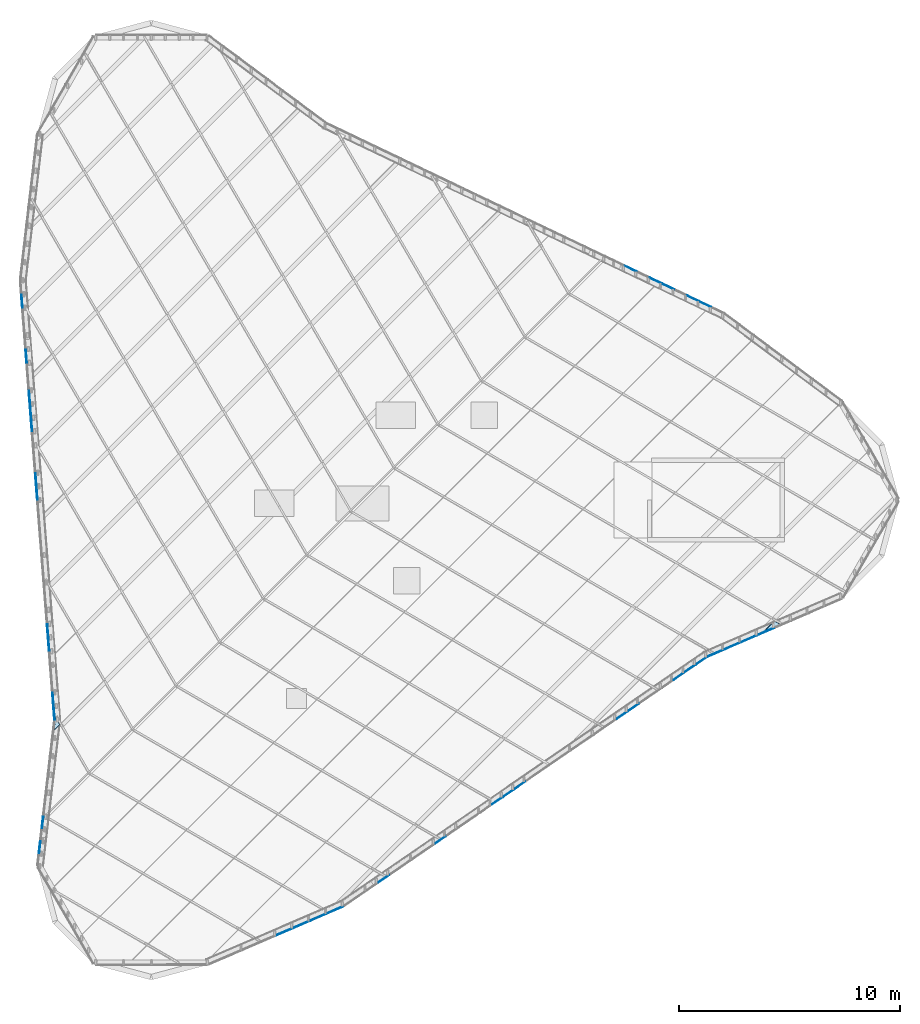
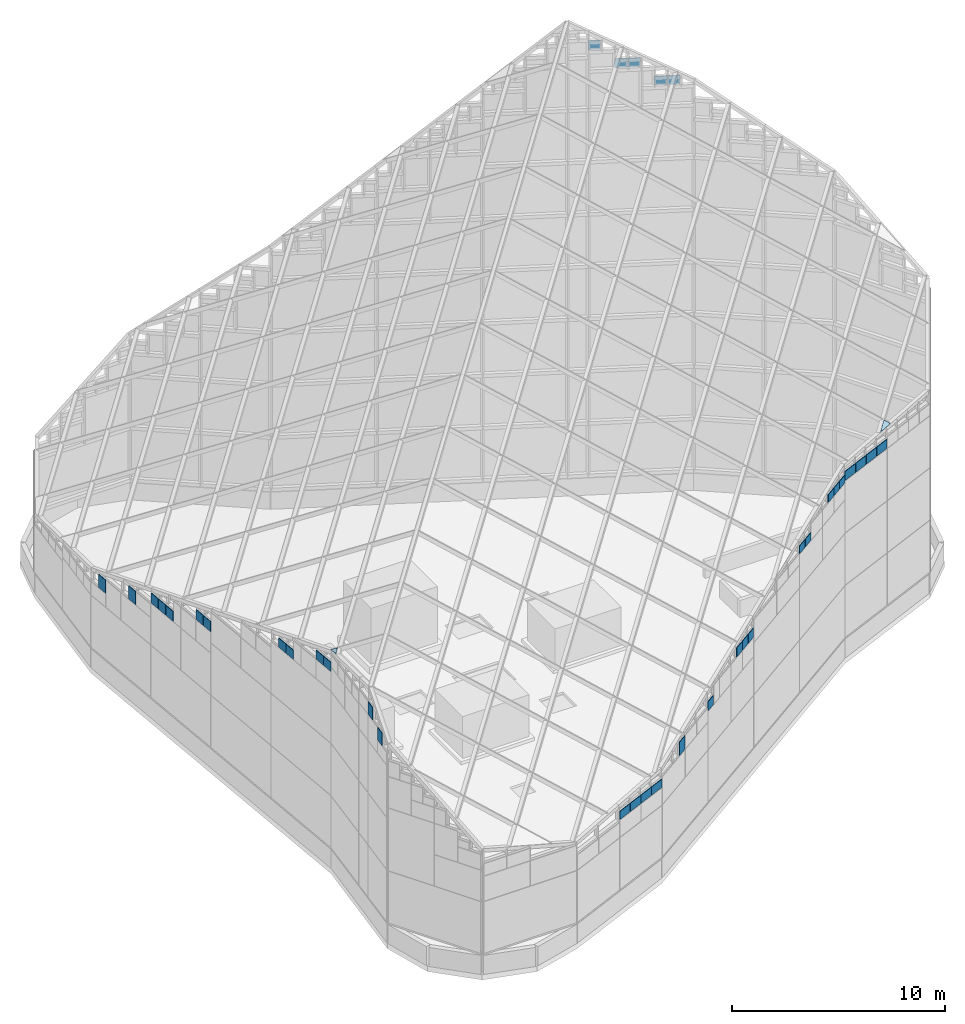
# One storey, part 23 of 29: 38 plates, 1 element without a shape of its own.
"""IFC4 building model written with IfcOpenShell, lengths in metres."""

from ifc_helpers import new_model, si_unit, direction, frame, origin, place, context, subcontext, project, spatial, polyline, outline, extrude, material, layer, layer_set, type_object, element, aggregate, save


model = new_model("IFC4")

# Units and contexts
model_context = context("Model", 3, precision=1e-05, world=origin(), true_north=direction((0.0, 1.0)))
body_context = subcontext(model_context, "Body", "Model", "MODEL_VIEW")
ifc_project = project(units=[si_unit("LENGTHUNIT", "METRE"), si_unit("AREAUNIT", "SQUARE_METRE"), si_unit("VOLUMEUNIT", "CUBIC_METRE"), si_unit("PLANEANGLEUNIT", "RADIAN"), si_unit("MASSUNIT", "GRAM", prefix="KILO")], contexts=[model_context])

# Site, building, storey
site_placement = place(None, origin())
site = spatial("IfcSite", under=ifc_project, at=site_placement, CompositionType="ELEMENT")
building_placement = place(site_placement, origin())
building = spatial("IfcBuilding", under=site, at=building_placement, Name="Tanit Gate Tower", CompositionType="ELEMENT")
storey_placement = place(building_placement, frame((0.0, 0.0, 445.300048828125)))
storey = spatial("IfcBuildingStorey", under=building, at=storey_placement, Name="ROOF", CompositionType="ELEMENT", Elevation=445.300048828125)

# Curtain wall, plates
ifc_material_1 = material(Name="Aluminium bronze anodised and glass", Category="aluminium")
curtain_wall_type = type_object("IfcCurtainWallType", Name="Curtain wall crown roof", PredefinedType="NOTDEFINED", material=ifc_material_1)
curtain_wall_placement = place(storey_placement, origin())
curtain_wall = element("IfcCurtainWall", 1, at=curtain_wall_placement, inside=storey, type_object=curtain_wall_type, Name="Crown lantern", PredefinedType="NOTDEFINED")
ifc_material_2 = material(Name="Glass tinted laminated safety", Category="glass")
ifc_layer = layer(ifc_material_2, 0.033935546875)
ifc_layer_set = layer_set([ifc_layer], Name="Glass panel 34 crown roof")
plate_type = type_object("IfcPlateType", Name="Glass panel 34 crown roof", PredefinedType="CURTAIN_PANEL", material=ifc_layer_set)
plate_1_placement = place(storey_placement, frame((15.7939453125, 8.749755859375, 23.31689453125), z_axis=(0.430699156371, 0.902495560488, 0.0), x_axis=(-0.902495560488, 0.430699156371, 0.0)))
plate_1 = element("IfcPlate", 2, at=plate_1_placement, type_object=plate_type, Name="Lantern clerestory glass 3.8.2", PredefinedType="CURTAIN_PANEL", context=body_context, shape_type="SweptSolid", body=[
    extrude(outline(polyline([(0.0, 0.0), (0.5940559000755323, 0.0), (0.5940559000755323, 0.5207519531250001), (0.0, 0.5207519531250001), (0.0, 0.0)])), origin(), (0.0, 0.0, -1.0), 0.033935546875),
])
plate_2_placement = place(storey_placement, frame((15.23095703125, 9.0185546875, 23.31689453125), z_axis=(0.431033803852, 0.902335780038, 0.0), x_axis=(-0.902335780038, 0.431033803852, 0.0)))
plate_2 = element("IfcPlate", 3, at=plate_2_placement, type_object=plate_type, Name="Lantern clerestory glass 3.8.4", PredefinedType="CURTAIN_PANEL", context=body_context, shape_type="SweptSolid", body=[
    extrude(outline(polyline([(0.0, 0.0), (0.5941610920908948, 0.0), (0.5941610920908948, 0.520751953125), (0.0, 0.520751953125), (0.0, 0.0)])), origin(), (0.0, 0.0, -1.0), 0.033935546875),
])
plate_3_placement = place(storey_placement, frame((14.10498046875, 9.556640625, 24.418701171875), z_axis=(0.430699156371, 0.902495560488, 0.0), x_axis=(-0.902495560488, 0.430699156371, 0.0)))
plate_3 = element("IfcPlate", 4, at=plate_3_placement, type_object=plate_type, Name="Lantern clerestory glass 3.8.7", PredefinedType="CURTAIN_PANEL", context=body_context, shape_type="SweptSolid", body=[
    extrude(outline(polyline([(0.0, 0.0), (0.5940559000755323, 0.0), (0.5940559000755323, 0.5209960937500001), (0.0, 0.5209960937500001), (0.0, 0.0)])), origin(), (0.0, 0.0, -1.0), 0.033935546875),
])
plate_4_placement = place(storey_placement, frame((13.541748046875, 9.825439453125, 24.418701171875), z_axis=(0.431193670556, 0.902259396445, 0.0), x_axis=(-0.902259396445, 0.431193670556, 0.0)))
plate_4 = element("IfcPlate", 5, at=plate_4_placement, type_object=plate_type, Name="Lantern clerestory glass 3.8.8", PredefinedType="CURTAIN_PANEL", context=body_context, shape_type="SweptSolid", body=[
    extrude(outline(polyline([(0.0, 0.0), (0.5939408045920368, 0.0), (0.5939408045920368, 0.5209960937499999), (0.0, 0.5209960937499999), (0.0, 0.0)])), origin(), (0.0, 0.0, -1.0), 0.033935546875),
])
plate_5_placement = place(storey_placement, frame((12.415771484375, 10.363525390625, 25.5205078125), z_axis=(0.430858955566, 0.902419281935, 0.0), x_axis=(-0.902419281935, 0.430858955566, 0.0)))
plate_5 = element("IfcPlate", 6, at=plate_5_placement, type_object=plate_type, Name="Lantern clerestory glass 3.8.10", PredefinedType="CURTAIN_PANEL", context=body_context, shape_type="SweptSolid", body=[
    extrude(outline(polyline([(0.0, 0.0), (0.5938355735549548, 0.0), (0.5938355735549548, 0.52099609375), (0.0, 0.52099609375), (0.0, 0.0)])), origin(), (0.0, 0.0, -1.0), 0.033935546875),
])
plate_6_placement = place(storey_placement, frame((-15.474365234375, 9.302978515625, 4.998779296875), z_axis=(-0.996976589827, -0.077702505351, 0.0), x_axis=(0.077702505351, -0.996976589827, 0.0)))
plate_6 = element("IfcPlate", 7, at=plate_6_placement, type_object=plate_type, Name="Lantern clerestory glass 14.2.2", PredefinedType="CURTAIN_PANEL", context=body_context, shape_type="SweptSolid", body=[
    extrude(outline(polyline([(0.0, 0.0), (0.5938364267189268, 0.0), (0.5938364267189268, 0.7539062500000002), (0.0, 0.7539062500000002), (0.0, 0.0)])), origin(), (0.0, 0.0, -1.0), 0.033935546875),
])
plate_7_placement = place(storey_placement, frame((-15.280029296875, 6.81494140625, 5.78271484375), z_axis=(-0.996979070538, -0.077670669551, 0.0), x_axis=(0.077670669551, -0.996979070538, 0.0)))
plate_7 = element("IfcPlate", 8, at=plate_7_placement, type_object=plate_type, Name="Lantern clerestory glass 14.2.5", PredefinedType="CURTAIN_PANEL", context=body_context, shape_type="SweptSolid", body=[
    extrude(outline(polyline([(0.0, 0.0), (0.5940798295095607, 0.0), (0.5940798295095607, 0.75390625), (0.0, 0.75390625), (0.0, 0.0)])), origin(), (0.0, 0.0, -1.0), 0.033935546875),
])
plate_8_placement = place(storey_placement, frame((-15.13427734375, 4.94873046875, 6.62939453125), z_axis=(-0.996979070538, -0.077670669551, 0.0), x_axis=(0.077670669551, -0.996979070538, 0.0)))
plate_8 = element("IfcPlate", 9, at=plate_8_placement, type_object=plate_type, Name="Lantern clerestory glass 15.2.2", PredefinedType="CURTAIN_PANEL", context=body_context, shape_type="SweptSolid", body=[
    extrude(outline(polyline([(0.0, 0.0), (0.5940798295095607, 0.0), (0.5940798295095607, 0.5737304687500001), (0.0, 0.5737304687500001), (0.0, 0.0)])), origin(), (0.0, 0.0, -1.0), 0.033935546875),
])
plate_9_placement = place(storey_placement, frame((-15.0859375, 4.32666015625, 6.62939453125), z_axis=(-0.996947165087, -0.078079126697, 0.0), x_axis=(0.078079126697, -0.996947165087, 0.0)))
plate_9 = element("IfcPlate", 10, at=plate_9_placement, type_object=plate_type, Name="Lantern clerestory glass 15.2.3", PredefinedType="CURTAIN_PANEL", context=body_context, shape_type="SweptSolid", body=[
    extrude(outline(polyline([(0.0, 0.0), (0.5940988419366583, 0.0), (0.5940988419366583, 0.57373046875), (0.0, 0.57373046875), (0.0, 0.0)])), origin(), (0.0, 0.0, -1.0), 0.033935546875),
])
plate_10_placement = place(storey_placement, frame((-15.037353515625, 3.70458984375, 6.62939453125), z_axis=(-0.996944658295, -0.078111127866, 0.0), x_axis=(0.078111127866, -0.996944658295, 0.0)))
plate_10 = element("IfcPlate", 11, at=plate_10_placement, type_object=plate_type, Name="Lantern clerestory glass 15.2.4", PredefinedType="CURTAIN_PANEL", context=body_context, shape_type="SweptSolid", body=[
    extrude(outline(polyline([(0.0, 0.0), (0.5938554469386242, 0.0), (0.5938554469386242, 0.57373046875), (0.0, 0.57373046875), (0.0, 0.0)])), origin(), (0.0, 0.0, -1.0), 0.033935546875),
])
plate_11_placement = place(storey_placement, frame((-14.843017578125, 1.21630859375, 7.836669921875), z_axis=(-0.996976589827, -0.077702505351, 0.0), x_axis=(0.077702505351, -0.996976589827, 0.0)))
plate_11 = element("IfcPlate", 12, at=plate_11_placement, type_object=plate_type, Name="Lantern clerestory glass 15.2.9", PredefinedType="CURTAIN_PANEL", context=body_context, shape_type="SweptSolid", body=[
    extrude(outline(polyline([(0.0, 0.0), (0.5938364267189268, 0.0), (0.5938364267189268, 0.5737304687500001), (0.0, 0.5737304687500001), (0.0, 0.0)])), origin(), (0.0, 0.0, -1.0), 0.033935546875),
])
plate_12_placement = place(storey_placement, frame((-14.79443359375, 0.59423828125, 7.836669921875), z_axis=(-0.996976589827, -0.077702505351, 0.0), x_axis=(0.077702505351, -0.996976589827, 0.0)))
plate_12 = element("IfcPlate", 13, at=plate_12_placement, type_object=plate_type, Name="Lantern clerestory glass 15.2.10", PredefinedType="CURTAIN_PANEL", context=body_context, shape_type="SweptSolid", body=[
    extrude(outline(polyline([(0.0, 0.0), (0.5938364267189268, 0.0), (0.5938364267189268, 0.5737304687500001), (0.0, 0.5737304687500001), (0.0, 0.0)])), origin(), (0.0, 0.0, -1.0), 0.033935546875),
])
plate_13_placement = place(storey_placement, frame((-14.308837890625, -5.626220703125, 10.21484375), z_axis=(-0.996944658295, -0.078111127866, 0.0), x_axis=(0.078111127866, -0.996944658295, 0.0)))
plate_13 = element("IfcPlate", 14, at=plate_13_placement, type_object=plate_type, Name="Lantern clerestory glass 17.4.1", PredefinedType="CURTAIN_PANEL", context=body_context, shape_type="SweptSolid", body=[
    extrude(outline(polyline([(0.0, 0.0), (0.5938554469386242, 0.0), (0.5938554469386242, 0.5239257812499999), (0.0, 0.5239257812499999), (0.0, 0.0)])), origin(), (0.0, 0.0, -1.0), 0.033935546875),
])
plate_14_placement = place(storey_placement, frame((-14.26025390625, -6.248291015625, 10.21484375), z_axis=(-0.996944658295, -0.078111127866, 0.0), x_axis=(0.078111127866, -0.996944658295, 0.0)))
plate_14 = element("IfcPlate", 15, at=plate_14_placement, type_object=plate_type, Name="Lantern clerestory glass 17.4.2", PredefinedType="CURTAIN_PANEL", context=body_context, shape_type="SweptSolid", body=[
    extrude(outline(polyline([(0.0, 0.0), (0.5938554469386242, 0.0), (0.5938554469386242, 0.5239257812499999), (0.0, 0.5239257812499999), (0.0, 0.0)])), origin(), (0.0, 0.0, -1.0), 0.033935546875),
])
plate_15_placement = place(storey_placement, frame((-14.06591796875, -8.736328125, 11.32275390625), z_axis=(-0.996979070538, -0.077670669551, 0.0), x_axis=(0.077670669551, -0.996979070538, 0.0)))
plate_15 = element("IfcPlate", 16, at=plate_15_placement, type_object=plate_type, Name="Lantern clerestory glass 17.4.6", PredefinedType="CURTAIN_PANEL", context=body_context, shape_type="SweptSolid", body=[
    extrude(outline(polyline([(0.0, 0.0), (0.5940798295095607, 0.0), (0.5940798295095607, 0.52392578125), (0.0, 0.52392578125), (0.0, 0.0)])), origin(), (0.0, 0.0, -1.0), 0.033935546875),
])
plate_16_placement = place(storey_placement, frame((-14.017333984375, -9.3583984375, 11.32275390625), z_axis=(-0.996979070538, -0.077670669551, 0.0), x_axis=(0.077670669551, -0.996979070538, 0.0)))
plate_16 = element("IfcPlate", 17, at=plate_16_placement, type_object=plate_type, Name="Lantern clerestory glass 17.4.7", PredefinedType="CURTAIN_PANEL", context=body_context, shape_type="SweptSolid", body=[
    extrude(outline(polyline([(0.0, 0.0), (0.5940798295095607, 0.0), (0.5940798295095607, 0.52392578125), (0.0, 0.52392578125), (0.0, 0.0)])), origin(), (0.0, 0.0, -1.0), 0.033935546875),
])
plate_17_placement = place(storey_placement, frame((-14.616455078125, -15.464599609375, 10.96484375), z_axis=(-0.993203882942, 0.116387486051, 0.0), x_axis=(-0.116387486051, -0.993203882942, 0.0)))
plate_17 = element("IfcPlate", 18, at=plate_17_placement, type_object=plate_type, Name="Lantern clerestory glass 20.4.3", PredefinedType="CURTAIN_PANEL", context=body_context, shape_type="SweptSolid", body=[
    extrude(outline(polyline([(0.0, 0.0), (0.5307063518657993, 0.0), (0.5307063518657993, 0.72021484375), (0.0, 0.72021484375), (0.0, 0.0)])), origin(), (0.0, 0.0, -1.0), 0.033935546875),
])
plate_18_placement = place(storey_placement, frame((-14.486083984375, -14.3505859375, 11.71484375), z_axis=(-0.993203882942, 0.116387486051, 0.0), x_axis=(-0.116387486051, -0.993203882942, 0.0)))
plate_18 = element("IfcPlate", 19, at=plate_18_placement, type_object=plate_type, Name="Lantern clerestory glass 20.4.4", PredefinedType="CURTAIN_PANEL", context=body_context, shape_type="SweptSolid", body=[
    extrude(outline(polyline([(0.0, 0.0), (0.5307063518657993, 0.0), (0.5307063518657993, 0.72021484375), (0.0, 0.72021484375), (0.0, 0.0)])), origin(), (0.0, 0.0, -1.0), 0.033935546875),
])
plate_19_placement = place(storey_placement, frame((-3.913330078125, -19.7392578125, 5.225830078125), z_axis=(0.396010659019, -0.918245913655, 0.0), x_axis=(0.918245913655, 0.396010659019, 0.0)))
plate_19 = element("IfcPlate", 20, at=plate_19_placement, type_object=plate_type, Name="Lantern clerestory glass 24.2.2", PredefinedType="CURTAIN_PANEL", context=body_context, shape_type="SweptSolid", body=[
    extrude(outline(polyline([(0.0, 0.0), (0.8026831766030078, 0.0), (0.8026831766030078, 0.475341796875), (0.0, 0.475341796875), (0.0, 0.0)])), origin(), (0.0, 0.0, -1.0), 0.033935546875),
])
plate_20_placement = place(storey_placement, frame((-3.148681640625, -19.40966796875, 5.225830078125), z_axis=(0.395864740774, -0.918308829867, 0.0), x_axis=(0.918308829867, 0.395864740774, 0.0)))
plate_20 = element("IfcPlate", 21, at=plate_20_placement, type_object=plate_type, Name="Lantern clerestory glass 24.2.3", PredefinedType="CURTAIN_PANEL", context=body_context, shape_type="SweptSolid", body=[
    extrude(outline(polyline([(0.0, 0.0), (0.8023623233120035, 0.0), (0.8023623233120035, 0.475341796875), (0.0, 0.475341796875), (0.0, 0.0)])), origin(), (0.0, 0.0, -1.0), 0.033935546875),
])
plate_21_placement = place(storey_placement, frame((-2.38427734375, -19.080078125, 5.225830078125), z_axis=(0.395864740774, -0.918308829867, 0.0), x_axis=(0.918308829867, 0.395864740774, 0.0)))
plate_21 = element("IfcPlate", 22, at=plate_21_placement, type_object=plate_type, Name="Lantern clerestory glass 24.2.5", PredefinedType="CURTAIN_PANEL", context=body_context, shape_type="SweptSolid", body=[
    extrude(outline(polyline([(0.0, 0.0), (0.8023623233120035, 0.0), (0.8023623233120035, 0.475341796875), (0.0, 0.475341796875), (0.0, 0.0)])), origin(), (0.0, 0.0, -1.0), 0.033935546875),
])
plate_22_placement = place(storey_placement, frame((-1.619873046875, -18.75048828125, 5.225830078125), z_axis=(0.395754156075, -0.918356492844, 0.0), x_axis=(0.918356492844, 0.395754156075, 0.0)))
plate_22 = element("IfcPlate", 23, at=plate_22_placement, type_object=plate_type, Name="Lantern clerestory glass 24.2.6", PredefinedType="CURTAIN_PANEL", context=body_context, shape_type="SweptSolid", body=[
    extrude(outline(polyline([(0.0, 0.0), (0.8025865256227175, 0.0), (0.8025865256227175, 0.475341796875), (0.0, 0.475341796875), (0.0, 0.0)])), origin(), (0.0, 0.0, -1.0), 0.033935546875),
])
plate_23_placement = place(storey_placement, frame((0.70947265625, -17.346435546875, 5.830322265625), z_axis=(0.56584797849, -0.82450959075, 0.0), x_axis=(0.82450959075, 0.56584797849, 0.0)))
plate_23 = element("IfcPlate", 24, at=plate_23_placement, type_object=plate_type, Name="Lantern clerestory glass 25.2.2", PredefinedType="CURTAIN_PANEL", context=body_context, shape_type="SweptSolid", body=[
    extrude(outline(polyline([(0.0, 0.0), (0.5936886103164181, 0.0), (0.5936886103164181, 0.777587890625), (0.0, 0.777587890625), (0.0, 0.0)])), origin(), (0.0, 0.0, -1.0), 0.033935546875),
])
plate_24_placement = place(storey_placement, frame((3.281494140625, -15.5810546875, 6.4345703125), z_axis=(0.565656171584, -0.824641192004, 0.0), x_axis=(0.824641192004, 0.565656171584, 0.0)))
plate_24 = element("IfcPlate", 25, at=plate_24_placement, type_object=plate_type, Name="Lantern clerestory glass 26.2.2", PredefinedType="CURTAIN_PANEL", context=body_context, shape_type="SweptSolid", body=[
    extrude(outline(polyline([(0.0, 0.0), (0.5938899226705516, 0.0), (0.5938899226705516, 0.52490234375), (0.0, 0.52490234375), (0.0, 0.0)])), origin(), (0.0, 0.0, -1.0), 0.033935546875),
])
plate_25_placement = place(storey_placement, frame((5.853759765625, -13.815673828125, 7.54443359375), z_axis=(0.566127439464, -0.824317731391, 0.0), x_axis=(0.824317731391, 0.566127439464, 0.0)))
plate_25 = element("IfcPlate", 26, at=plate_25_placement, type_object=plate_type, Name="Lantern clerestory glass 26.2.7", PredefinedType="CURTAIN_PANEL", context=body_context, shape_type="SweptSolid", body=[
    extrude(outline(polyline([(0.0, 0.0), (0.5938267909133996, 0.0), (0.5938267909133996, 0.52490234375), (0.0, 0.52490234375), (0.0, 0.0)])), origin(), (0.0, 0.0, -1.0), 0.033935546875),
])
plate_26_placement = place(storey_placement, frame((6.3681640625, -13.462646484375, 7.54443359375), z_axis=(0.566127439464, -0.824317731391, 0.0), x_axis=(0.824317731391, 0.566127439464, 0.0)))
plate_26 = element("IfcPlate", 27, at=plate_26_placement, type_object=plate_type, Name="Lantern clerestory glass 26.2.9", PredefinedType="CURTAIN_PANEL", context=body_context, shape_type="SweptSolid", body=[
    extrude(outline(polyline([(0.0, 0.0), (0.5938267909133996, 0.0), (0.5938267909133996, 0.52490234375), (0.0, 0.52490234375), (0.0, 0.0)])), origin(), (0.0, 0.0, -1.0), 0.033935546875),
])
plate_27_placement = place(storey_placement, frame((6.882568359375, -13.109619140625, 7.54443359375), z_axis=(0.565935627082, -0.824449432045, 0.0), x_axis=(0.824449432045, 0.565935627082, 0.0)))
plate_27 = element("IfcPlate", 28, at=plate_27_placement, type_object=plate_type, Name="Lantern clerestory glass 26.2.10", PredefinedType="CURTAIN_PANEL", context=body_context, shape_type="SweptSolid", body=[
    extrude(outline(polyline([(0.0, 0.0), (0.5940280564390039, 0.0), (0.5940280564390039, 0.52490234375), (0.0, 0.52490234375), (0.0, 0.0)])), origin(), (0.0, 0.0, -1.0), 0.033935546875),
])
plate_28_placement = place(storey_placement, frame((11.512451171875, -9.931640625, 9.143310546875), z_axis=(0.56584797849, -0.82450959075, 0.0), x_axis=(0.82450959075, 0.56584797849, 0.0)))
plate_28 = element("IfcPlate", 29, at=plate_28_placement, type_object=plate_type, Name="Lantern clerestory glass 28.3.2", PredefinedType="CURTAIN_PANEL", context=body_context, shape_type="SweptSolid", body=[
    extrude(outline(polyline([(0.0, 0.0), (0.5936886103164181, 0.0), (0.5936886103164181, 0.4521484375), (0.0, 0.4521484375), (0.0, 0.0)])), origin(), (0.0, 0.0, -1.0), 0.033935546875),
])
plate_29_placement = place(storey_placement, frame((12.02685546875, -9.57861328125, 9.143310546875), z_axis=(0.56584797849, -0.82450959075, 0.0), x_axis=(0.82450959075, 0.56584797849, 0.0)))
plate_29 = element("IfcPlate", 30, at=plate_29_placement, type_object=plate_type, Name="Lantern clerestory glass 28.3.3", PredefinedType="CURTAIN_PANEL", context=body_context, shape_type="SweptSolid", body=[
    extrude(outline(polyline([(0.0, 0.0), (0.5936886103164181, 0.0), (0.5936886103164181, 0.4521484375), (0.0, 0.4521484375), (0.0, 0.0)])), origin(), (0.0, 0.0, -1.0), 0.033935546875),
])
plate_30_placement = place(storey_placement, frame((14.08447265625, -8.166259765625, 10.107666015625), z_axis=(0.565656171584, -0.824641192004, 0.0), x_axis=(0.824641192004, 0.565656171584, 0.0)))
plate_30 = element("IfcPlate", 31, at=plate_30_placement, type_object=plate_type, Name="Lantern clerestory glass 28.3.7", PredefinedType="CURTAIN_PANEL", context=body_context, shape_type="SweptSolid", body=[
    extrude(outline(polyline([(0.0, 0.0), (0.5938899226705516, 0.0), (0.5938899226705516, 0.4521484375), (0.0, 0.4521484375), (0.0, 0.0)])), origin(), (0.0, 0.0, -1.0), 0.033935546875),
])
plate_31_placement = place(storey_placement, frame((14.598876953125, -7.813232421875, 10.107666015625), z_axis=(0.565935627082, -0.824449432045, 0.0), x_axis=(0.824449432045, 0.565935627082, 0.0)))
plate_31 = element("IfcPlate", 32, at=plate_31_placement, type_object=plate_type, Name="Lantern clerestory glass 28.3.9", PredefinedType="CURTAIN_PANEL", context=body_context, shape_type="SweptSolid", body=[
    extrude(outline(polyline([(0.0, 0.0), (0.5940280564390039, 0.0), (0.5940280564390039, 0.4521484375), (0.0, 0.4521484375), (0.0, 0.0)])), origin(), (0.0, 0.0, -1.0), 0.033935546875),
])
plate_32_placement = place(storey_placement, frame((15.11328125, -7.460205078125, 10.107666015625), z_axis=(0.565935627082, -0.824449432045, 0.0), x_axis=(0.824449432045, 0.565935627082, 0.0)))
plate_32 = element("IfcPlate", 33, at=plate_32_placement, type_object=plate_type, Name="Lantern clerestory glass 28.3.10", PredefinedType="CURTAIN_PANEL", context=body_context, shape_type="SweptSolid", body=[
    extrude(outline(polyline([(0.0, 0.0), (0.5940280564390039, 0.0), (0.5940280564390039, 0.4521484375), (0.0, 0.4521484375), (0.0, 0.0)])), origin(), (0.0, 0.0, -1.0), 0.033935546875),
])
plate_33_placement = place(storey_placement, frame((15.6064453125, -7.1220703125, 10.21484375), z_axis=(0.395824930615, -0.918325990215, 0.0), x_axis=(0.918325990215, 0.395824930615, 0.0)))
plate_33 = element("IfcPlate", 34, at=plate_33_placement, type_object=plate_type, Name="Lantern clerestory glass 29.4.1", PredefinedType="CURTAIN_PANEL", context=body_context, shape_type="SweptSolid", body=[
    extrude(outline(polyline([(0.0, 0.0), (0.8036765998559787, 0.0), (0.8036765998559787, 0.524169921875), (0.0, 0.524169921875), (0.0, 0.0)])), origin(), (0.0, 0.0, -1.0), 0.033935546875),
])
plate_34_placement = place(storey_placement, frame((16.3720703125, -6.792236328125, 10.21484375), z_axis=(0.395935381363, -0.918278374887, 0.0), x_axis=(0.918278374887, 0.395935381363, 0.0)))
plate_34 = element("IfcPlate", 35, at=plate_34_placement, type_object=plate_type, Name="Lantern clerestory glass 29.4.2", PredefinedType="CURTAIN_PANEL", context=body_context, shape_type="SweptSolid", body=[
    extrude(outline(polyline([(0.0, 0.0), (0.803452404986381, 0.0), (0.803452404986381, 0.5241699218749999), (0.0, 0.5241699218749999), (0.0, 0.0)])), origin(), (0.0, 0.0, -1.0), 0.033935546875),
])
plate_35_placement = place(storey_placement, frame((17.137451171875, -6.462158203125, 10.21484375), z_axis=(0.395824930615, -0.918325990215, 0.0), x_axis=(0.918325990215, 0.395824930615, 0.0)))
plate_35 = element("IfcPlate", 36, at=plate_35_placement, type_object=plate_type, Name="Lantern clerestory glass 29.4.3", PredefinedType="CURTAIN_PANEL", context=body_context, shape_type="SweptSolid", body=[
    extrude(outline(polyline([(0.0, 0.0), (0.8036765998559787, 0.0), (0.8036765998559787, 0.524169921875), (0.0, 0.524169921875), (0.0, 0.0)])), origin(), (0.0, 0.0, -1.0), 0.033935546875),
])
plate_36_placement = place(storey_placement, frame((17.903076171875, -6.132080078125, 10.21484375), z_axis=(0.395824930615, -0.918325990215, 0.0), x_axis=(0.918325990215, 0.395824930615, 0.0)))
plate_36 = element("IfcPlate", 37, at=plate_36_placement, type_object=plate_type, Name="Lantern clerestory glass 29.4.4", PredefinedType="CURTAIN_PANEL", context=body_context, shape_type="SweptSolid", body=[
    extrude(outline(polyline([(0.0, 0.0), (0.8036765998559787, 0.0), (0.8036765998559787, 0.524169921875), (0.0, 0.524169921875), (0.0, 0.0)])), origin(), (0.0, 0.0, -1.0), 0.033935546875),
])
plate_37_placement = place(storey_placement, frame((-13.975830078125, -10.41748046875, 12.605224609375), z_axis=(-0.624624106298, 0.207301916975, 0.752908122582), x_axis=(0.658571346694, 0.657960260211, 0.365201420174)))
plate_37 = element("IfcPlate", 38, at=plate_37_placement, type_object=plate_type, Name="Lantern roof glass E1.2.1", PredefinedType="CURTAIN_PANEL", context=body_context, shape_type="SweptSolid", body=[
    extrude(outline(polyline([(0.0, 0.0), (0.3777408568295894, 0.0), (0.37752689098249836, 0.47433622232032896), (0.32841952161989696, 0.37868350399167083), (0.0, 0.0)])), origin(), (0.0, 0.0, -1.0), 0.033935546875),
])
plate_38_placement = place(storey_placement, frame((18.656005859375, -5.4873046875, 11.635009765625), z_axis=(0.207529923149, -0.624524276997, 0.752928123023), x_axis=(-0.658418179733, -0.658418179733, -0.364651890432)))
plate_38 = element("IfcPlate", 39, at=plate_38_placement, type_object=plate_type, Name="Lantern roof glass W11.8.1", PredefinedType="CURTAIN_PANEL", context=body_context, shape_type="SweptSolid", body=[
    extrude(outline(polyline([(0.0, 0.0), (0.7163831467891606, 2.7755575615628914e-17), (-3.17832355580111e-05, 0.3667849491485772), (0.0, 0.0)])), origin(), (0.0, 0.0, -1.0), 0.033935546875),
])
aggregate(curtain_wall, [plate_1, plate_2, plate_3, plate_4, plate_5, plate_6, plate_7, plate_8, plate_9, plate_10, plate_11, plate_12, plate_13, plate_14, plate_15, plate_16, plate_17, plate_18, plate_19, plate_20, plate_21, plate_22, plate_23, plate_24, plate_25, plate_26, plate_27, plate_28, plate_29, plate_30, plate_31, plate_32, plate_33, plate_34, plate_35, plate_36, plate_37, plate_38])

save(model, "model.ifc")
